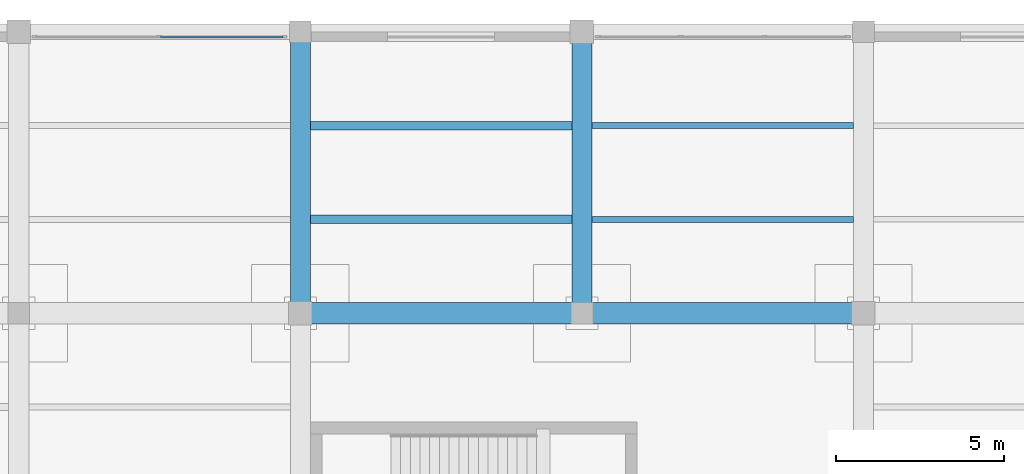
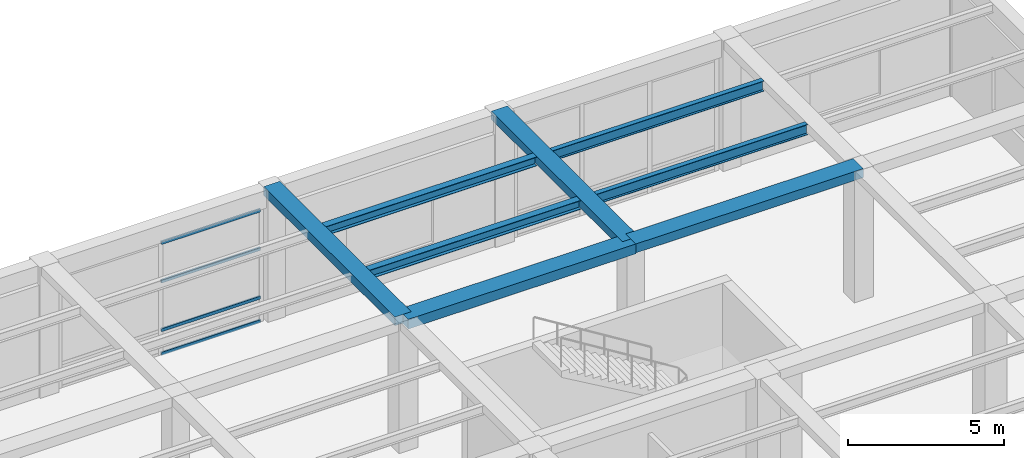
# One storey, part 62 of 96: 8 beams, 4 members, 1 element without a shape of its own.
"""IFC4 building model written with IfcOpenShell, lengths in metres."""

from ifc_helpers import new_model, si_unit, direction, frame, origin, origin_2d, place, context, subcontext, project, spatial, rectangle, hollow_rectangle, i_section, extrude, material, material_profile, profile_set, type_object, element, aggregate, save


model = new_model("IFC4")

# Units and contexts
model_context = context("Model", 3, precision=1e-05, world=origin(), true_north=direction((0.0, 1.0)))
body_context = subcontext(model_context, "Body", "Model", "MODEL_VIEW")
ifc_project = project(units=[si_unit("LENGTHUNIT", "METRE"), si_unit("AREAUNIT", "SQUARE_METRE"), si_unit("VOLUMEUNIT", "CUBIC_METRE"), si_unit("PLANEANGLEUNIT", "RADIAN"), si_unit("MASSUNIT", "GRAM", prefix="KILO")], contexts=[model_context])

# Site, building, storey
site_placement = place(None, origin())
site = spatial("IfcSite", under=ifc_project, at=site_placement, CompositionType="ELEMENT")
building_placement = place(site_placement, origin())
building = spatial("IfcBuilding", under=site, at=building_placement, Name="Almacenes y Pasaje Nevantli", CompositionType="ELEMENT")
storey_placement = place(building_placement, frame((0.0, 0.0, 6.0)))
storey = spatial("IfcBuildingStorey", under=building, at=storey_placement, Name="L02", CompositionType="ELEMENT", Elevation=6.0)

# Beams
ifc_material_1 = material(Name="Concrete C35/45", Category="concrete")
ifc_material_profile_1 = material_profile(ifc_material_1, rectangle(XDim=0.60009765625, YDim=0.320068359375, at=origin_2d()), Name="RC-BM-600x320")
ifc_profile_set_1 = profile_set([ifc_material_profile_1], Name="Concrete C35/45")
beam_type_1 = type_object("IfcBeamType", Name="BM-RC-600x320", PredefinedType="BEAM", material=ifc_profile_set_1)
beam_1_placement = place(storey_placement, frame((151.199951171875, 109.199951171875, 4.93994140625), z_axis=(0.0, 1.0, 0.0), x_axis=(-1.0, 0.0, 0.0)))
element("IfcBeam", 1, at=beam_1_placement, inside=storey, type_object=beam_type_1, Name="L02 North-South Reinforced Concrete Beam #2174", PredefinedType="BEAM", context=body_context, shape_type="SweptSolid", body=[
    extrude(rectangle(XDim=0.60009765625, YDim=0.320068359375, at=origin_2d()), origin(), (0.0, 0.0, 1.0), 8.400146484375),
])
ifc_material_2 = material(Name="Concrete C35/45", Category="concrete")
ifc_material_profile_2 = material_profile(ifc_material_2, rectangle(XDim=0.60009765625, YDim=0.340087890625, at=origin_2d()), Name="RC-BM-600x340")
ifc_profile_set_2 = profile_set([ifc_material_profile_2], Name="Concrete C35/45")
beam_type_2 = type_object("IfcBeamType", Name="BM-RC-600x340", PredefinedType="BEAM", material=ifc_profile_set_2)
beam_2_placement = place(storey_placement, frame((142.800048828125, 109.199951171875, 4.929931640625), z_axis=(0.0, 1.0, 0.0), x_axis=(-1.0, 0.0, 0.0)))
element("IfcBeam", 2, at=beam_2_placement, inside=storey, type_object=beam_type_2, Name="L02 North-South Reinforced Concrete Beam #2161", PredefinedType="BEAM", context=body_context, shape_type="SweptSolid", body=[
    extrude(rectangle(XDim=0.60009765625, YDim=0.340087890625, at=origin_2d()), origin(), (0.0, 0.0, 1.0), 8.400146484375),
])
ifc_material_3 = material(Name="Concrete C35/45", Category="concrete")
ifc_material_profile_3 = material_profile(ifc_material_3, rectangle(XDim=0.64990234375, YDim=0.35009765625, at=origin_2d()), Name="RC-BM-650x350")
ifc_profile_set_3 = profile_set([ifc_material_profile_3], Name="Concrete C35/45")
beam_type_3 = type_object("IfcBeamType", Name="BM-RC-650x350", PredefinedType="BEAM", material=ifc_profile_set_3)
beam_3_placement = place(storey_placement, frame((151.199951171875, 109.199951171875, 4.925048828125), z_axis=(1.0, 0.0, 0.0), x_axis=(0.0, 1.0, 0.0)))
element("IfcBeam", 3, at=beam_3_placement, inside=storey, type_object=beam_type_3, Name="L02 East-West Reinforced Concrete Beam #1944", PredefinedType="BEAM", context=body_context, shape_type="SweptSolid", body=[
    extrude(rectangle(XDim=0.64990234375, YDim=0.35009765625, at=origin_2d()), origin(), (0.0, 0.0, 1.0), 8.400146484375),
])
ifc_material_4 = material(Name="Concrete C35/45", Category="concrete")
ifc_material_profile_4 = material_profile(ifc_material_4, rectangle(XDim=0.64990234375, YDim=0.3798828125, at=origin_2d()), Name="RC-BM-650x380")
ifc_profile_set_4 = profile_set([ifc_material_profile_4], Name="Concrete C35/45")
beam_type_4 = type_object("IfcBeamType", Name="BM-RC-650x380", PredefinedType="BEAM", material=ifc_profile_set_4)
beam_4_placement = place(storey_placement, frame((142.800048828125, 109.199951171875, 4.909912109375), z_axis=(1.0, 0.0, 0.0), x_axis=(0.0, 1.0, 0.0)))
element("IfcBeam", 4, at=beam_4_placement, inside=storey, type_object=beam_type_4, Name="L02 East-West Reinforced Concrete Beam #1943", PredefinedType="BEAM", context=body_context, shape_type="SweptSolid", body=[
    extrude(rectangle(XDim=0.64990234375, YDim=0.3798828125, at=origin_2d()), origin(), (0.0, 0.0, 1.0), 8.39990234375),
])
ifc_material_5 = material(Name="Steel ASTM A992", Category="steel")
ifc_material_profile_5 = material_profile(ifc_material_5, i_section(OverallWidth=0.25390625, OverallDepth=0.35595703125, WebThickness=0.009521484375, FlangeThickness=0.016357421875, at=origin_2d()), Name="IR 356x79.0")
ifc_profile_set_5 = profile_set([ifc_material_profile_5], Name="Steel ASTM A992")
beam_type_5 = type_object("IfcBeamType", Name="BM-STL-IR-356x79p0", PredefinedType="JOIST", material=ifc_profile_set_5)
for number, where, z_axis, x_axis, name in (
    (5, (143.10009765625, 112.0, 4.9140625), (1.0, 0.0, 0.0), (0.0, 1.0, 0.0), "L02 Secondary Steel Floor Joist #621"),
    (6, (143.10009765625, 114.800048828125, 4.9140625), (1.0, 0.0, 0.0), (0.0, 1.0, 0.0), "L02 Secondary Steel Floor Joist #622"),
):
    element("IfcBeam", number, at=place(storey_placement, frame(where, z_axis=z_axis, x_axis=x_axis)), inside=storey, type_object=beam_type_5, Name=name, PredefinedType="JOIST", context=body_context, shape_type="SweptSolid", body=[
        extrude(i_section(OverallWidth=0.25390625, OverallDepth=0.35595703125, WebThickness=0.009521484375, FlangeThickness=0.016357421875, at=origin_2d()), origin(), (0.0, 0.0, 1.0), 7.7998046875),
    ])
ifc_material_6 = material(Name="Steel ASTM A992", Category="steel")
ifc_material_profile_6 = material_profile(ifc_material_6, i_section(OverallWidth=0.178955078125, OverallDepth=0.406005859375, WebThickness=0.0087890625, FlangeThickness=0.014404296875, at=origin_2d()), Name="IR 406x67.0")
ifc_profile_set_6 = profile_set([ifc_material_profile_6], Name="Steel ASTM A992")
beam_type_6 = type_object("IfcBeamType", Name="BM-STL-IR-406x67p0", PredefinedType="JOIST", material=ifc_profile_set_6)
for number, where, z_axis, x_axis, name in (
    (7, (151.5, 112.0, 4.888916015625), (1.0, 0.0, 0.0), (0.0, 1.0, 0.0), "L02 Secondary Steel Floor Joist #647"),
    (8, (151.5, 114.800048828125, 4.888916015625), (1.0, 0.0, 0.0), (0.0, 1.0, 0.0), "L02 Secondary Steel Floor Joist #648"),
):
    element("IfcBeam", number, at=place(storey_placement, frame(where, z_axis=z_axis, x_axis=x_axis)), inside=storey, type_object=beam_type_6, Name=name, PredefinedType="JOIST", context=body_context, shape_type="SweptSolid", body=[
        extrude(i_section(OverallWidth=0.178955078125, OverallDepth=0.406005859375, WebThickness=0.0087890625, FlangeThickness=0.014404296875, at=origin_2d()), origin(), (0.0, 0.0, 1.0), 7.800048828125),
    ])

# Curtain wall, members
ifc_material_7 = material(Name="Thermally Broken Aluminium and Low-E Glass", Category="aluminium")
curtain_wall_type = type_object("IfcCurtainWallType", Name="CW-STF-BLVD", PredefinedType="USERDEFINED", material=ifc_material_7)
curtain_wall_placement = place(storey_placement, origin())
curtain_wall = element("IfcCurtainWall", 9, at=curtain_wall_placement, inside=storey, type_object=curtain_wall_type, Name="L02 North Boulevard Retail Curtain Wall Bay 17", ObjectType="STOREFRONT GLAZING", PredefinedType="USERDEFINED")
ifc_material_8 = material(Name="Thermally Broken Anodized Aluminium", Category="aluminium")
ifc_material_profile_7 = material_profile(ifc_material_8, hollow_rectangle(XDim=0.06005859375, YDim=0.1201171875, WallThickness=0.00341796875, at=origin_2d()), Name="ALU-TRN-60x120")
ifc_profile_set_7 = profile_set([ifc_material_profile_7], Name="Thermally Broken Anodized Aluminium")
member_type = type_object("IfcMemberType", Name="CW-TRN-130", PredefinedType="USERDEFINED", material=ifc_profile_set_7)
member_1_placement = place(storey_placement, frame((138.6298828125, 117.449951171875, 0.030029296875), z_axis=(1.0, 0.0, 0.0), x_axis=(0.0, 1.0, 0.0)))
member_1 = element("IfcMember", 10, at=member_1_placement, type_object=member_type, Name="CW-L02-010 transom 2.1", ObjectType="TRANSOM", PredefinedType="USERDEFINED", context=body_context, shape_type="SweptSolid", body=[
    extrude(hollow_rectangle(XDim=0.06005859375, YDim=0.1201171875, WallThickness=0.00341796875, at=origin_2d()), origin(), (0.0, 0.0, 1.0), 3.66015625),
])
member_2_placement = place(storey_placement, frame((138.6298828125, 117.449951171875, 0.949951171875), z_axis=(1.0, 0.0, 0.0), x_axis=(0.0, 1.0, 0.0)))
member_2 = element("IfcMember", 11, at=member_2_placement, type_object=member_type, Name="CW-L02-010 transom 2.2", ObjectType="TRANSOM", PredefinedType="USERDEFINED", context=body_context, shape_type="SweptSolid", body=[
    extrude(hollow_rectangle(XDim=0.06005859375, YDim=0.1201171875, WallThickness=0.00341796875, at=origin_2d()), origin(), (0.0, 0.0, 1.0), 3.66015625),
])
member_3_placement = place(storey_placement, frame((138.6298828125, 117.449951171875, 2.85009765625), z_axis=(1.0, 0.0, 0.0), x_axis=(0.0, 1.0, 0.0)))
member_3 = element("IfcMember", 12, at=member_3_placement, type_object=member_type, Name="CW-L02-010 transom 2.3", ObjectType="TRANSOM", PredefinedType="USERDEFINED", context=body_context, shape_type="SweptSolid", body=[
    extrude(hollow_rectangle(XDim=0.06005859375, YDim=0.1201171875, WallThickness=0.00341796875, at=origin_2d()), origin(), (0.0, 0.0, 1.0), 3.66015625),
])
member_4_placement = place(storey_placement, frame((138.6298828125, 117.449951171875, 4.35009765625), z_axis=(1.0, 0.0, 0.0), x_axis=(0.0, 1.0, 0.0)))
member_4 = element("IfcMember", 13, at=member_4_placement, type_object=member_type, Name="CW-L02-010 transom 2.4", ObjectType="TRANSOM", PredefinedType="USERDEFINED", context=body_context, shape_type="SweptSolid", body=[
    extrude(hollow_rectangle(XDim=0.06005859375, YDim=0.1201171875, WallThickness=0.00341796875, at=origin_2d()), origin(), (0.0, 0.0, 1.0), 3.66015625),
])
aggregate(curtain_wall, [member_1, member_2, member_3, member_4])

save(model, "model.ifc")
